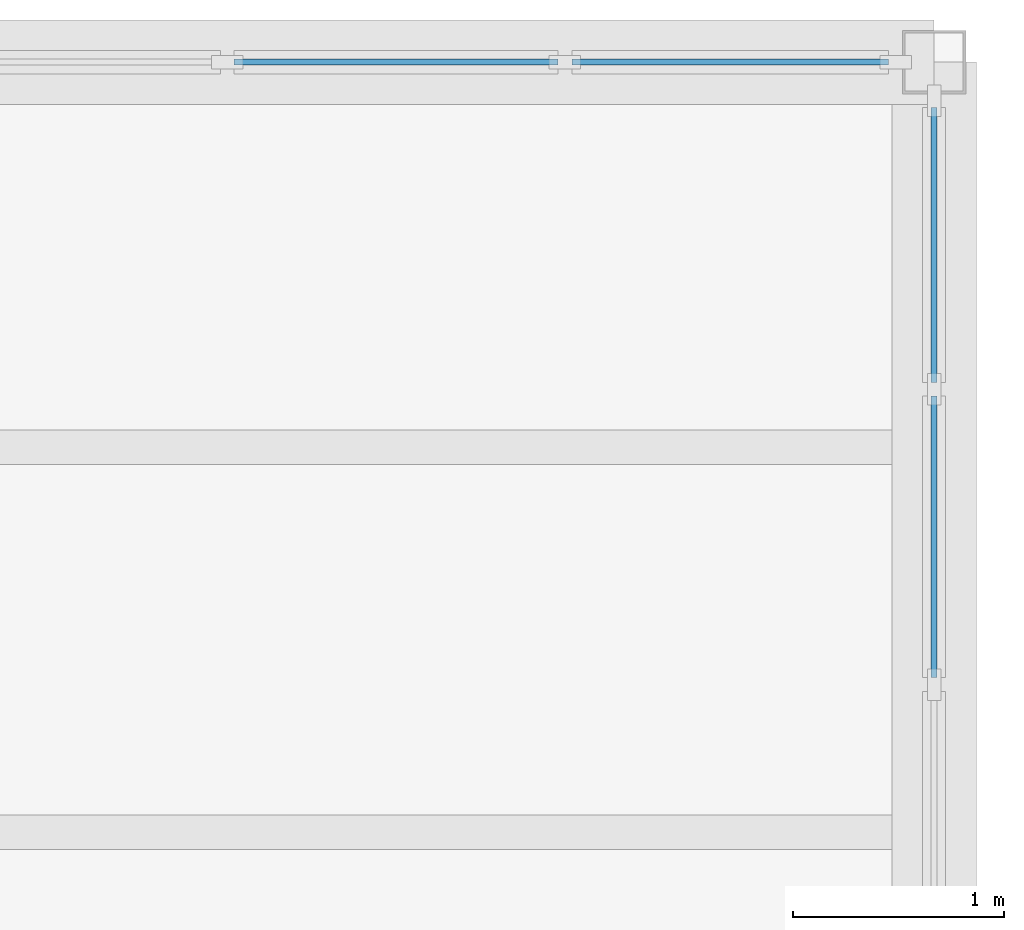
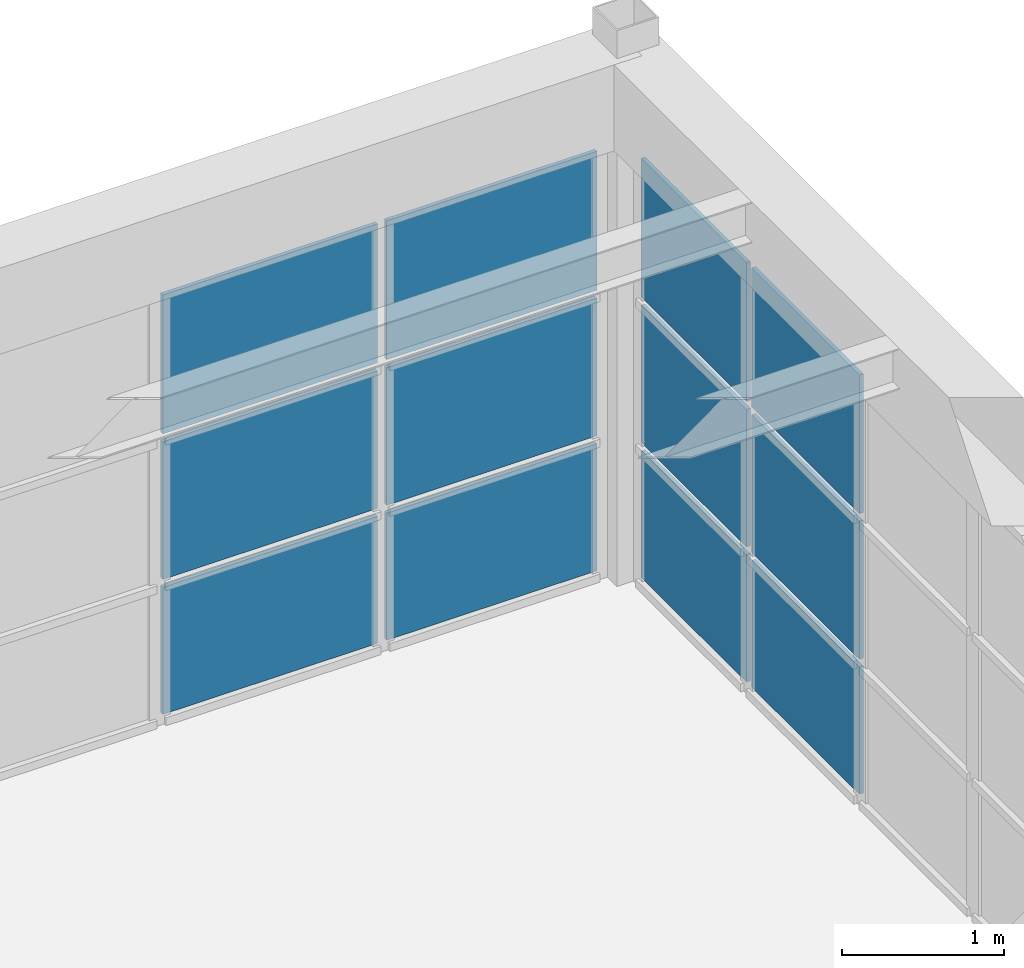
# One storey, part 43 of 52: 12 plates, 2 elements without a shape of their own.
"""IFC4 building model written with IfcOpenShell, lengths in metres."""

from ifc_helpers import new_model, si_unit, direction, frame, origin, origin_2d, place, context, subcontext, project, spatial, rectangle, extrude, material, layer, layer_set, type_object, element, aggregate, save


model = new_model("IFC4")

# Units and contexts
model_context = context("Model", 3, precision=1e-05, world=origin(), true_north=direction((0.0, 1.0)))
body_context = subcontext(model_context, "Body", "Model", "MODEL_VIEW")
ifc_project = project(units=[si_unit("LENGTHUNIT", "METRE"), si_unit("AREAUNIT", "SQUARE_METRE"), si_unit("VOLUMEUNIT", "CUBIC_METRE"), si_unit("PLANEANGLEUNIT", "RADIAN"), si_unit("MASSUNIT", "GRAM", prefix="KILO")], contexts=[model_context])

# Site, building, storey
site_placement = place(None, origin())
site = spatial("IfcSite", under=ifc_project, at=site_placement, CompositionType="ELEMENT")
building_placement = place(site_placement, origin())
building = spatial("IfcBuilding", under=site, at=building_placement, Name="Candilejo Ridge Gondola Terminal", CompositionType="ELEMENT")
storey_placement = place(building_placement, frame((0.0, 0.0, 18.60009765625)))
storey = spatial("IfcBuildingStorey", under=building, at=storey_placement, Name="L04", CompositionType="ELEMENT", Elevation=18.60009765625)

# Curtain wall, plates
ifc_material_1 = material(Name="Anodised aluminium AA 6063-T6", Category="aluminium")
ifc_layer_1 = layer(ifc_material_1, 0.169921875)
ifc_layer_set_1 = layer_set([ifc_layer_1], Name="ARC-CW-TOWER-3000-700X329")
curtain_wall_type_1 = type_object("IfcCurtainWallType", Name="ARC-CW-TOWER-3000-700X329", PredefinedType="NOTDEFINED", material=ifc_layer_set_1)
curtain_wall_1_placement = place(storey_placement, origin())
curtain_wall_1 = element("IfcCurtainWall", 1, at=curtain_wall_1_placement, inside=storey, type_object=curtain_wall_type_1, Name="Curtain wall V5 L04-221", PredefinedType="NOTDEFINED")
ifc_material_2 = material(Name="Low-E laminated double glazing 6+12A+6+1.52PVB+6 mm", Category="glass")
ifc_layer_2 = layer(ifc_material_2, 0.028076171875)
ifc_layer_set_2 = layer_set([ifc_layer_2], Name="ARC-CW-GLAZ-PANEL")
plate_type = type_object("IfcPlateType", Name="ARC-CW-GLAZ-PANEL", PredefinedType="CURTAIN_PANEL", material=ifc_layer_set_2)
plate_1_placement = place(storey_placement, frame((175.300048828125, 118.60009765625, 0.059814453125), z_axis=(0.0, 0.0, 1.0), x_axis=(0.0, 1.0, 0.0)))
plate_1 = element("IfcPlate", 2, at=plate_1_placement, type_object=plate_type, Name="CW-70X32 panel 4.1", PredefinedType="CURTAIN_PANEL", context=body_context, shape_type="SweptSolid", body=[
    extrude(rectangle(XDim=1.3349609375, YDim=0.028076171875, at=origin_2d()), origin(), (0.0, 0.0, 1.0), 0.9599609375),
])
plate_2_placement = place(storey_placement, frame((175.300048828125, 118.60009765625, 1.079833984375), z_axis=(0.0, 0.0, 1.0), x_axis=(0.0, 1.0, 0.0)))
plate_2 = element("IfcPlate", 3, at=plate_2_placement, type_object=plate_type, Name="CW-70X32 panel 4.2", PredefinedType="CURTAIN_PANEL", context=body_context, shape_type="SweptSolid", body=[
    extrude(rectangle(XDim=1.3349609375, YDim=0.028076171875, at=origin_2d()), origin(), (0.0, 0.0, 1.0), 1.0400390625),
])
plate_3_placement = place(storey_placement, frame((175.300048828125, 118.60009765625, 2.1796875), z_axis=(0.0, 0.0, 1.0), x_axis=(0.0, 1.0, 0.0)))
plate_3 = element("IfcPlate", 4, at=plate_3_placement, type_object=plate_type, Name="CW-70X32 panel 4.3", PredefinedType="CURTAIN_PANEL", context=body_context, shape_type="SweptSolid", body=[
    extrude(rectangle(XDim=1.3349609375, YDim=0.028076171875, at=origin_2d()), origin(), (0.0, 0.0, 1.0), 1.050048828125),
])
plate_4_placement = place(storey_placement, frame((175.300048828125, 119.983642578125, 0.059814453125), z_axis=(0.0, 0.0, 1.0), x_axis=(0.0, 1.0, 0.0)))
plate_4 = element("IfcPlate", 5, at=plate_4_placement, type_object=plate_type, Name="CW-70X32 panel 5.1", PredefinedType="CURTAIN_PANEL", context=body_context, shape_type="SweptSolid", body=[
    extrude(rectangle(XDim=1.302490234375, YDim=0.028076171875, at=origin_2d()), origin(), (0.0, 0.0, 1.0), 0.9599609375),
])
plate_5_placement = place(storey_placement, frame((175.300048828125, 119.983642578125, 1.079833984375), z_axis=(0.0, 0.0, 1.0), x_axis=(0.0, 1.0, 0.0)))
plate_5 = element("IfcPlate", 6, at=plate_5_placement, type_object=plate_type, Name="CW-70X32 panel 5.2", PredefinedType="CURTAIN_PANEL", context=body_context, shape_type="SweptSolid", body=[
    extrude(rectangle(XDim=1.302490234375, YDim=0.028076171875, at=origin_2d()), origin(), (0.0, 0.0, 1.0), 1.0400390625),
])
plate_6_placement = place(storey_placement, frame((175.300048828125, 119.983642578125, 2.1796875), z_axis=(0.0, 0.0, 1.0), x_axis=(0.0, 1.0, 0.0)))
plate_6 = element("IfcPlate", 7, at=plate_6_placement, type_object=plate_type, Name="CW-70X32 panel 5.3", PredefinedType="CURTAIN_PANEL", context=body_context, shape_type="SweptSolid", body=[
    extrude(rectangle(XDim=1.302490234375, YDim=0.028076171875, at=origin_2d()), origin(), (0.0, 0.0, 1.0), 1.050048828125),
])
aggregate(curtain_wall_1, [plate_1, plate_2, plate_3, plate_4, plate_5, plate_6])

ifc_material_3 = material(Name="Anodised aluminium AA 6063-T6", Category="aluminium")
ifc_layer_3 = layer(ifc_material_3, 0.169921875)
ifc_layer_set_3 = layer_set([ifc_layer_3], Name="ARC-CW-TOWER-3000-640X329")
curtain_wall_type_2 = type_object("IfcCurtainWallType", Name="ARC-CW-TOWER-3000-640X329", PredefinedType="NOTDEFINED", material=ifc_layer_set_3)
curtain_wall_2_placement = place(storey_placement, origin())
curtain_wall_2 = element("IfcCurtainWall", 8, at=curtain_wall_2_placement, inside=storey, type_object=curtain_wall_type_2, Name="Curtain wall V5 L04-225", PredefinedType="NOTDEFINED")
plate_7_placement = place(storey_placement, frame((172.75, 120.85009765625, 0.059814453125), z_axis=(0.0, 0.0, 1.0), x_axis=(1.0, 0.0, 0.0)))
plate_7 = element("IfcPlate", 9, at=plate_7_placement, type_object=plate_type, Name="CW-64X32 panel 3.1", PredefinedType="CURTAIN_PANEL", context=body_context, shape_type="SweptSolid", body=[
    extrude(rectangle(XDim=1.534912109375, YDim=0.028076171875, at=origin_2d()), origin(), (0.0, 0.0, 1.0), 0.9599609375),
])
plate_8_placement = place(storey_placement, frame((172.75, 120.85009765625, 1.079833984375), z_axis=(0.0, 0.0, 1.0), x_axis=(1.0, 0.0, 0.0)))
plate_8 = element("IfcPlate", 10, at=plate_8_placement, type_object=plate_type, Name="CW-64X32 panel 3.2", PredefinedType="CURTAIN_PANEL", context=body_context, shape_type="SweptSolid", body=[
    extrude(rectangle(XDim=1.534912109375, YDim=0.028076171875, at=origin_2d()), origin(), (0.0, 0.0, 1.0), 1.0400390625),
])
plate_9_placement = place(storey_placement, frame((172.75, 120.85009765625, 2.1796875), z_axis=(0.0, 0.0, 1.0), x_axis=(1.0, 0.0, 0.0)))
plate_9 = element("IfcPlate", 11, at=plate_9_placement, type_object=plate_type, Name="CW-64X32 panel 3.3", PredefinedType="CURTAIN_PANEL", context=body_context, shape_type="SweptSolid", body=[
    extrude(rectangle(XDim=1.534912109375, YDim=0.028076171875, at=origin_2d()), origin(), (0.0, 0.0, 1.0), 1.050048828125),
])
plate_10_placement = place(storey_placement, frame((174.333740234375, 120.85009765625, 0.059814453125), z_axis=(0.0, 0.0, 1.0), x_axis=(1.0, 0.0, 0.0)))
plate_10 = element("IfcPlate", 12, at=plate_10_placement, type_object=plate_type, Name="CW-64X32 panel 4.1", PredefinedType="CURTAIN_PANEL", context=body_context, shape_type="SweptSolid", body=[
    extrude(rectangle(XDim=1.50244140625, YDim=0.028076171875, at=origin_2d()), origin(), (0.0, 0.0, 1.0), 0.9599609375),
])
plate_11_placement = place(storey_placement, frame((174.333740234375, 120.85009765625, 1.079833984375), z_axis=(0.0, 0.0, 1.0), x_axis=(1.0, 0.0, 0.0)))
plate_11 = element("IfcPlate", 13, at=plate_11_placement, type_object=plate_type, Name="CW-64X32 panel 4.2", PredefinedType="CURTAIN_PANEL", context=body_context, shape_type="SweptSolid", body=[
    extrude(rectangle(XDim=1.50244140625, YDim=0.028076171875, at=origin_2d()), origin(), (0.0, 0.0, 1.0), 1.0400390625),
])
plate_12_placement = place(storey_placement, frame((174.333740234375, 120.85009765625, 2.1796875), z_axis=(0.0, 0.0, 1.0), x_axis=(1.0, 0.0, 0.0)))
plate_12 = element("IfcPlate", 14, at=plate_12_placement, type_object=plate_type, Name="CW-64X32 panel 4.3", PredefinedType="CURTAIN_PANEL", context=body_context, shape_type="SweptSolid", body=[
    extrude(rectangle(XDim=1.50244140625, YDim=0.028076171875, at=origin_2d()), origin(), (0.0, 0.0, 1.0), 1.050048828125),
])
aggregate(curtain_wall_2, [plate_7, plate_8, plate_9, plate_10, plate_11, plate_12])

save(model, "model.ifc")
